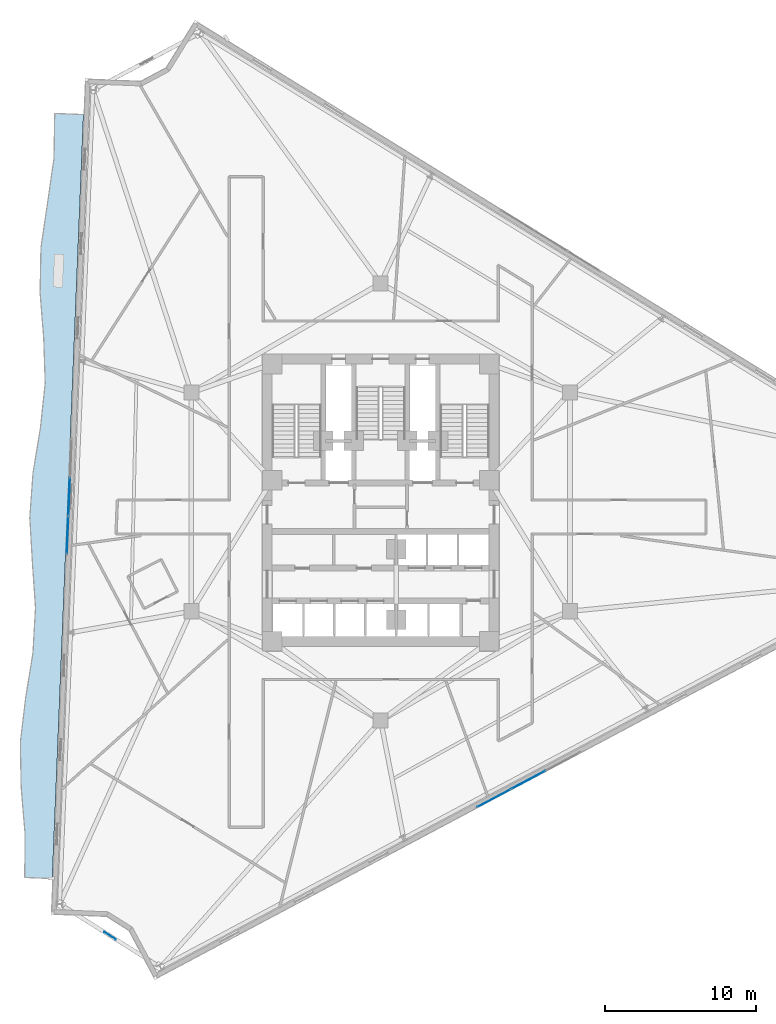
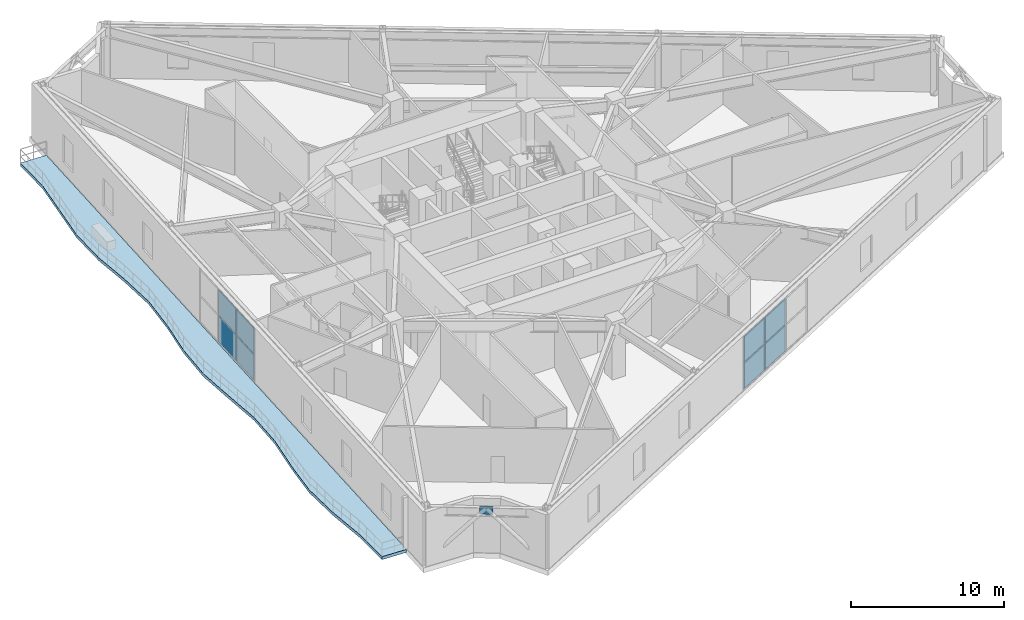
# One storey, part 12 of 22: 9 plates, 1 slab, 2 elements without a shape of their own.
"""IFC4 building model written with IfcOpenShell, lengths in metres."""

import ifcopenshell
import ifcopenshell.guid

model = None  # the IFC model being written
_history = None  # IfcOwnerHistory: only IFC2X3 demands one
_inside = {}  # id of a spatial element -> (the spatial element, [elements in it])
_under = {}  # id of a project, library or spatial element -> (it, [spatial elements below it])
_declared = {}  # id of a project -> (the project, [libraries it declares])
_typed = {}  # id of a type object -> (the type object, [elements of that type])
_made_of = {}  # id of a material, layer set ... -> (it, [elements and type objects made of it])


def new_model(schema):
    """Start an empty IFC model of exactly this schema.

    Asked for "IFC4X3", IfcOpenShell would pick the latest addendum, in which some entities
    have other attributes; the version numbers below select the first issue.
    IFC2X3 requires an IfcOwnerHistory on every rooted entity: one is made here for all.
    """
    global model, _history
    if schema == "IFC4X3":
        model = ifcopenshell.file(schema_version=(4, 3, 0, 0))
    else:
        model = ifcopenshell.file(schema=schema)
    _inside.clear()
    _under.clear()
    _declared.clear()
    _typed.clear()
    _made_of.clear()
    _history = None
    if model.schema == "IFC2X3":
        org = make("IfcOrganization", Name="unknown")
        user = make(
            "IfcPersonAndOrganization",
            ThePerson=make("IfcPerson", FamilyName="unknown"),
            TheOrganization=org,
        )
        app = make(
            "IfcApplication",
            ApplicationDeveloper=org,
            Version="unknown",
            ApplicationFullName="unknown",
            ApplicationIdentifier="unknown",
        )
        _history = make(
            "IfcOwnerHistory",
            OwningUser=user,
            OwningApplication=app,
            ChangeAction="ADDED",
            CreationDate=0,
        )
    return model


def make(cls, **values):
    """One entity of the class cls with the attributes given. An attribute that is None is left unset."""
    return model.create_entity(
        cls, **{name: value for name, value in values.items() if value is not None}
    )


def rooted(cls, **values):
    """An entity with a GlobalId (a new one), such as an element, a storey or a relation."""
    return make(cls, GlobalId=ifcopenshell.guid.new(), OwnerHistory=_history, **values)


def si_unit(unit_type, name, prefix=None):
    """IfcSIUnit, for example si_unit("LENGTHUNIT", "METRE", prefix="MILLI")."""
    return make("IfcSIUnit", UnitType=unit_type, Prefix=prefix, Name=name)


def assignment(units):
    """IfcUnitAssignment: the units of a project."""
    return None if units is None else make("IfcUnitAssignment", Units=units)


def point(xyz):
    """IfcCartesianPoint."""
    return None if xyz is None else make("IfcCartesianPoint", Coordinates=xyz)


def direction(xyz):
    """IfcDirection."""
    return None if xyz is None else make("IfcDirection", DirectionRatios=xyz)


def frame(location, z_axis=None, x_axis=None):
    """IfcAxis2Placement3D, a coordinate frame: its origin and axes. An axis left out is left unset."""
    return make(
        "IfcAxis2Placement3D",
        Location=point(location),
        Axis=direction(z_axis),
        RefDirection=direction(x_axis),
    )


def frame_2d(location, x_axis=None):
    """IfcAxis2Placement2D, a coordinate frame in the plane: its origin and x axis."""
    return make(
        "IfcAxis2Placement2D", Location=point(location), RefDirection=direction(x_axis)
    )


def origin():
    """The frame at (0, 0, 0) with its axes left unset."""
    return frame((0.0, 0.0, 0.0))


def origin_2d():
    """The frame at (0, 0) in the plane with its x axis left unset."""
    return frame_2d((0.0, 0.0))


def place(relative_to, where):
    """IfcLocalPlacement: puts the frame where relative to a parent placement (None: the world)."""
    return make(
        "IfcLocalPlacement", PlacementRelTo=relative_to, RelativePlacement=where
    )


def context(
    kind, dimensions, precision=None, world=None, true_north=None, identifier=None
):
    """IfcGeometricRepresentationContext, for example the 3D "Model" context."""
    return make(
        "IfcGeometricRepresentationContext",
        ContextIdentifier=identifier,
        ContextType=kind,
        CoordinateSpaceDimension=dimensions,
        Precision=precision,
        WorldCoordinateSystem=world,
        TrueNorth=true_north,
    )


def subcontext(parent, identifier, kind, view, scale=None):
    """IfcGeometricRepresentationSubContext, for example "Body" below "Model"."""
    return make(
        "IfcGeometricRepresentationSubContext",
        ContextIdentifier=identifier,
        ContextType=kind,
        ParentContext=parent,
        TargetScale=scale,
        TargetView=view,
    )


def project(units=None, contexts=None):
    """IfcProject with its units and contexts."""
    return rooted(
        "IfcProject",
        Name="project",
        RepresentationContexts=contexts,
        UnitsInContext=assignment(units),
    )


def spatial(cls, under=None, at=None, **own):
    """A site, building, storey or space (cls), placed at a placement, below another one or the project."""
    s = rooted(cls, ObjectPlacement=at, **own)
    if under is not None:
        _under.setdefault(under.id(), (under, []))[1].append(s)
    return s


def polyline(points):
    """IfcPolyline through the points."""
    return make("IfcPolyline", Points=[point(p) for p in points])


def profile(cls, at=None, kind="AREA", **sizes):
    """A parametric profile (cls). Its sizes go by their IFC names, for example OverallWidth=200.0."""
    return make(cls, ProfileType=kind, Position=at, **sizes)


def rectangle(**sizes):
    """IfcRectangleProfileDef."""
    return profile("IfcRectangleProfileDef", **sizes)


def outline(outer, holes=None, kind="AREA"):
    """IfcArbitraryClosedProfileDef: a profile drawn as a closed curve; with holes, ...WithVoids."""
    if holes is None:
        return make("IfcArbitraryClosedProfileDef", ProfileType=kind, OuterCurve=outer)
    return make(
        "IfcArbitraryProfileDefWithVoids",
        ProfileType=kind,
        OuterCurve=outer,
        InnerCurves=holes,
    )


def extrude(swept, where, along, depth):
    """IfcExtrudedAreaSolid: the profile swept, set in the frame where, extruded along a direction by depth."""
    return make(
        "IfcExtrudedAreaSolid",
        SweptArea=swept,
        Position=where,
        ExtrudedDirection=direction(along),
        Depth=depth,
    )


def shape(context_of_items, identifier, shape_type, items):
    """IfcShapeRepresentation: the items that make up one representation, for example the "Body"."""
    return make(
        "IfcShapeRepresentation",
        ContextOfItems=context_of_items,
        RepresentationIdentifier=identifier,
        RepresentationType=shape_type,
        Items=items,
    )


def material(Name=None, Category=None):
    """IfcMaterial."""
    return make("IfcMaterial", Name=Name, Category=Category)


def layer(
    of_material, thickness, ventilated=None, Name=None, Category=None, Priority=None
):
    """IfcMaterialLayer: one layer of a wall or slab, of a material (None: an air gap)."""
    return make(
        "IfcMaterialLayer",
        Material=of_material,
        LayerThickness=thickness,
        IsVentilated=ventilated,
        Name=Name,
        Category=Category,
        Priority=Priority,
    )


def layer_set(layers, Name=None):
    """IfcMaterialLayerSet."""
    return make("IfcMaterialLayerSet", MaterialLayers=layers, LayerSetName=Name)


def made_of(thing, what):
    """Note that an element or type object is made of a material, layer set ...; save() writes the relation."""
    if what is not None:
        _made_of.setdefault(what.id(), (what, []))[1].append(thing)
    return thing


def type_object(cls, material=None, **own):
    """A type object (cls), such as IfcWallType, which elements share."""
    return made_of(rooted(cls, **own), material)


def element(
    cls,
    number,
    at=None,
    inside=None,
    cuts=None,
    type_object=None,
    material=None,
    context=None,
    identifier="Body",
    shape_type=None,
    held_by="IfcProductDefinitionShape",
    body=None,
    shapes=None,
    **own,
):
    """One element of the class cls, such as IfcWall. Its Tag is "e" and its number.

    at: its placement. inside: the storey or other place that contains it. cuts: it is an
    opening in that element (IfcRelVoidsElement). A single representation is given by context,
    identifier, shape_type and body (its items); several are given by shapes. held_by: the class
    of the entity that holds the representations. save() writes the other relations.
    """
    e = rooted(cls, Tag="e%d" % number, ObjectPlacement=at, **own)
    if body is not None:
        shapes = [shape(context, identifier, shape_type, body)]
    if shapes is not None:
        e.Representation = make(held_by, Representations=shapes)
    if inside is not None:
        _inside.setdefault(inside.id(), (inside, []))[1].append(e)
    if cuts is not None:
        rooted(
            "IfcRelVoidsElement", RelatingBuildingElement=cuts, RelatedOpeningElement=e
        )
    if type_object is not None:
        _typed.setdefault(type_object.id(), (type_object, []))[1].append(e)
    return made_of(e, material)


def aggregate(whole, parts):
    """IfcRelAggregates: a whole, such as a stair, and the parts it consists of."""
    return rooted("IfcRelAggregates", RelatingObject=whole, RelatedObjects=parts)


def save(model, path):
    """Write the relations noted so far, then the file.

    IfcRelAggregates (storeys below a building ...), IfcRelContainedInSpatialStructure (elements
    in a storey), IfcRelDefinesByType, IfcRelAssociatesMaterial and IfcRelDeclares: one each for
    every whole, place, type object, material and project.
    """
    for whole, parts in _under.values():
        aggregate(whole, parts)
    for where, things in _inside.values():
        rooted(
            "IfcRelContainedInSpatialStructure",
            RelatedElements=things,
            RelatingStructure=where,
        )
    for kind, things in _typed.values():
        rooted("IfcRelDefinesByType", RelatedObjects=things, RelatingType=kind)
    for what, things in _made_of.values():
        rooted("IfcRelAssociatesMaterial", RelatedObjects=things, RelatingMaterial=what)
    for by, libraries in _declared.values():
        rooted("IfcRelDeclares", RelatingContext=by, RelatedDefinitions=libraries)
    model.write(path)


model = new_model("IFC4")

# Units and contexts
model_context = context("Model", 3, precision=1e-05, world=origin(), true_north=direction((0.0, 1.0)))
body_context = subcontext(model_context, "Body", "Model", "MODEL_VIEW")
ifc_project = project(units=[si_unit("LENGTHUNIT", "METRE"), si_unit("AREAUNIT", "SQUARE_METRE"), si_unit("VOLUMEUNIT", "CUBIC_METRE"), si_unit("PLANEANGLEUNIT", "RADIAN"), si_unit("MASSUNIT", "GRAM", prefix="KILO")], contexts=[model_context])

# Site, building, storey
site_placement = place(None, origin())
site = spatial("IfcSite", under=ifc_project, at=site_placement, CompositionType="ELEMENT")
building_placement = place(site_placement, origin())
building = spatial("IfcBuilding", under=site, at=building_placement, Name="Apsidion Concourse Tower", CompositionType="ELEMENT")
storey_placement = place(building_placement, frame((0.0, 0.0, 160.89990234375)))
storey = spatial("IfcBuildingStorey", under=building, at=storey_placement, Name="L37", CompositionType="ELEMENT", Elevation=160.89990234375)

# Curtain wall, plates
ifc_material_1 = material(Name="Insulated laminated low-E glass", Category="glass")
ifc_layer_1 = layer(ifc_material_1, 0.2099609375)
ifc_layer_set_1 = layer_set([ifc_layer_1], Name="Insulated laminated low-E glass")
curtain_wall_type = type_object("IfcCurtainWallType", Name="CW-SYS-03", PredefinedType="NOTDEFINED", material=ifc_layer_set_1)
curtain_wall_1_placement = place(storey_placement, origin())
curtain_wall_1 = element("IfcCurtainWall", 1, at=curtain_wall_1_placement, inside=storey, type_object=curtain_wall_type, Name="L37 Sky Lobby Curtain Wall 5", PredefinedType="NOTDEFINED")
ifc_layer_2 = layer(ifc_material_1, 0.031982421875)
ifc_layer_set_2 = layer_set([ifc_layer_2], Name="Insulated laminated low-E glass")
plate_type_1 = type_object("IfcPlateType", Name="CWP-GLZ-32", PredefinedType="CURTAIN_PANEL", material=ifc_layer_set_2)
plate_1_placement = place(storey_placement, frame((9.80029296875, -18.431640625, 0.06494140625), z_axis=(0.0, 0.0, 1.0), x_axis=(-0.882947409874, -0.46947190693, 0.0)))
plate_1 = element("IfcPlate", 2, at=plate_1_placement, type_object=plate_type_1, Name="CW-03 panel 2.1", PredefinedType="CURTAIN_PANEL", context=body_context, shape_type="SweptSolid", body=[
    extrude(rectangle(XDim=2.541015625, YDim=0.031982421875, at=origin_2d()), origin(), (0.0, 0.0, 1.0), 2.052490234375),
])
plate_2_placement = place(storey_placement, frame((9.80029296875, -18.431640625, 2.1826171875), z_axis=(0.0, 0.0, 1.0), x_axis=(-0.882947409874, -0.46947190693, 0.0)))
plate_2 = element("IfcPlate", 3, at=plate_2_placement, type_object=plate_type_1, Name="CW-03 panel 2.2", PredefinedType="CURTAIN_PANEL", context=body_context, shape_type="SweptSolid", body=[
    extrude(rectangle(XDim=2.541015625, YDim=0.031982421875, at=origin_2d()), origin(), (0.0, 0.0, 1.0), 2.052490234375),
])
plate_3_placement = place(storey_placement, frame((7.513427734375, -19.6474609375, 0.06494140625), z_axis=(0.0, 0.0, 1.0), x_axis=(-0.882947409874, -0.46947190693, 0.0)))
plate_3 = element("IfcPlate", 4, at=plate_3_placement, type_object=plate_type_1, Name="CW-03 panel 3.1", PredefinedType="CURTAIN_PANEL", context=body_context, shape_type="SweptSolid", body=[
    extrude(rectangle(XDim=2.508544921875, YDim=0.031982421875, at=origin_2d()), origin(), (0.0, 0.0, 1.0), 2.052490234375),
])
plate_4_placement = place(storey_placement, frame((7.513427734375, -19.6474609375, 2.1826171875), z_axis=(0.0, 0.0, 1.0), x_axis=(-0.882947409874, -0.46947190693, 0.0)))
plate_4 = element("IfcPlate", 5, at=plate_4_placement, type_object=plate_type_1, Name="CW-03 panel 3.2", PredefinedType="CURTAIN_PANEL", context=body_context, shape_type="SweptSolid", body=[
    extrude(rectangle(XDim=2.508544921875, YDim=0.031982421875, at=origin_2d()), origin(), (0.0, 0.0, 1.0), 2.052490234375),
])
aggregate(curtain_wall_1, [plate_1, plate_2, plate_3, plate_4])

curtain_wall_2_placement = place(storey_placement, origin())
curtain_wall_2 = element("IfcCurtainWall", 6, at=curtain_wall_2_placement, inside=storey, type_object=curtain_wall_type, Name="L37 Sky Lobby Curtain Wall 9", PredefinedType="NOTDEFINED")
plate_5_placement = place(storey_placement, frame((-20.76708984375, -2.20068359375, 0.06494140625), z_axis=(0.0, 0.0, 1.0), x_axis=(0.0408143221, 0.999166748402, 0.0)))
plate_5 = element("IfcPlate", 7, at=plate_5_placement, type_object=plate_type_1, Name="CW-03 panel 1.1", PredefinedType="CURTAIN_PANEL", context=body_context, shape_type="SweptSolid", body=[
    extrude(rectangle(XDim=2.474365234375, YDim=0.031982421875, at=origin_2d()), origin(), (0.0, 0.0, 1.0), 2.052490234375),
])
plate_6_placement = place(storey_placement, frame((-20.76708984375, -2.20068359375, 2.1826171875), z_axis=(0.0, 0.0, 1.0), x_axis=(0.0408143221, 0.999166748402, 0.0)))
plate_6 = element("IfcPlate", 8, at=plate_6_placement, type_object=plate_type_1, Name="CW-03 panel 1.2", PredefinedType="CURTAIN_PANEL", context=body_context, shape_type="SweptSolid", body=[
    extrude(rectangle(XDim=2.474365234375, YDim=0.031982421875, at=origin_2d()), origin(), (0.0, 0.0, 1.0), 2.052490234375),
])
plate_7_placement = place(storey_placement, frame((-20.662841796875, 0.352783203125, 0.06494140625), z_axis=(0.0, 0.0, 1.0), x_axis=(0.0408143221, 0.999166748402, 0.0)))
plate_7 = element("IfcPlate", 9, at=plate_7_placement, type_object=plate_type_1, Name="CW-03 panel 2.1", PredefinedType="CURTAIN_PANEL", context=body_context, shape_type="SweptSolid", body=[
    extrude(rectangle(XDim=2.5068359375, YDim=0.031982421875, at=origin_2d()), origin(), (0.0, 0.0, 1.0), 2.052490234375),
])
plate_8_placement = place(storey_placement, frame((-20.662841796875, 0.352783203125, 2.1826171875), z_axis=(0.0, 0.0, 1.0), x_axis=(0.0408143221, 0.999166748402, 0.0)))
plate_8 = element("IfcPlate", 10, at=plate_8_placement, type_object=plate_type_1, Name="CW-03 panel 2.2", PredefinedType="CURTAIN_PANEL", context=body_context, shape_type="SweptSolid", body=[
    extrude(rectangle(XDim=2.5068359375, YDim=0.031982421875, at=origin_2d()), origin(), (0.0, 0.0, 1.0), 2.052490234375),
])
aggregate(curtain_wall_2, [plate_5, plate_6, plate_7, plate_8])

# Plate
ifc_material_2 = material(Name="Structural steel ASTM A572 Grade 50", Category="steel")
ifc_layer_3 = layer(ifc_material_2, 0.0400390625)
ifc_layer_set_3 = layer_set([ifc_layer_3], Name="Structural steel ASTM A572 Grade 50")
plate_type_2 = type_object("IfcPlateType", Name="PL-GUSSET-40", PredefinedType="SHEET", material=ifc_layer_set_3)
plate_9_placement = place(storey_placement, frame((-17.94970703125, -28.76513671875, 3.77001953125), z_axis=(0.0, 0.0, 1.0), x_axis=(-0.846472063486, 0.53243313734, 0.0)))
element("IfcPlate", 11, at=plate_9_placement, inside=storey, type_object=plate_type_2, Name="L37 Chevron Apex Node Gusset Plate KNA-1", PredefinedType="SHEET", context=body_context, shape_type="SweptSolid", body=[
    extrude(rectangle(XDim=0.89990234375, YDim=0.0400390625, at=origin_2d()), origin(), (0.0, 0.0, 1.0), 0.60009765625),
])

# Slab
ifc_material_3 = material(Name="Concrete C50/60", Category="concrete")
ifc_layer_4 = layer(ifc_material_3, 0.239990234375)
ifc_layer_set_4 = layer_set([ifc_layer_4], Name="Concrete C50/60")
slab_type = type_object("IfcSlabType", Name="SL-TERR-240", PredefinedType="ROOF", material=ifc_layer_set_4)
slab_placement = place(storey_placement, frame((0.0, 0.0, -0.239990234375)))
element("IfcSlab", 12, at=slab_placement, inside=storey, type_object=slab_type, Name="L37 Face 1 Spiral Sky-Terrace Slab", PredefinedType="ROOF", context=body_context, shape_type="SweptSolid", body=[
    extrude(outline(polyline([(-19.7080078125, 25.690185546875), (-19.82958984375, 22.709716796875), (-19.951416015625, 19.729248046875), (-20.0732421875, 16.748779296875), (-20.19482421875, 13.768310546875), (-20.316650390625, 10.787841796875), (-20.4384765625, 7.807373046875), (-20.56005859375, 4.826904296875), (-20.681884765625, 1.84619140625), (-20.8037109375, -1.13427734375), (-20.92529296875, -4.11474609375), (-21.047119140625, -7.09521484375), (-21.168701171875, -10.07568359375), (-21.29052734375, -13.05615234375), (-21.412109375, -16.03662109375), (-21.533935546875, -19.01708984375), (-21.65576171875, -21.99755859375), (-21.777587890625, -24.97802734375), (-23.60107421875, -24.903564453125), (-23.592041015625, -21.91845703125), (-23.842041015625, -18.9228515625), (-23.896728515625, -15.935302734375), (-23.540283203125, -12.96435546875), (-23.059814453125, -9.998291015625), (-22.8935546875, -7.019775390625), (-23.09619140625, -4.02587890625), (-23.27099609375, -1.033447265625), (-23.0556640625, 1.943359375), (-22.564697265625, 4.90869140625), (-22.2490234375, 7.881103515625), (-22.34619140625, 10.87060546875), (-22.588134765625, 13.865966796875), (-22.53076171875, 16.84912109375), (-22.09521484375, 19.81689453125), (-21.6650390625, 22.78466796875), (-21.617431640625, 25.768310546875), (-19.7080078125, 25.690185546875)])), origin(), (0.0, 0.0, 1.0), 0.239990234375),
])

save(model, "model.ifc")
